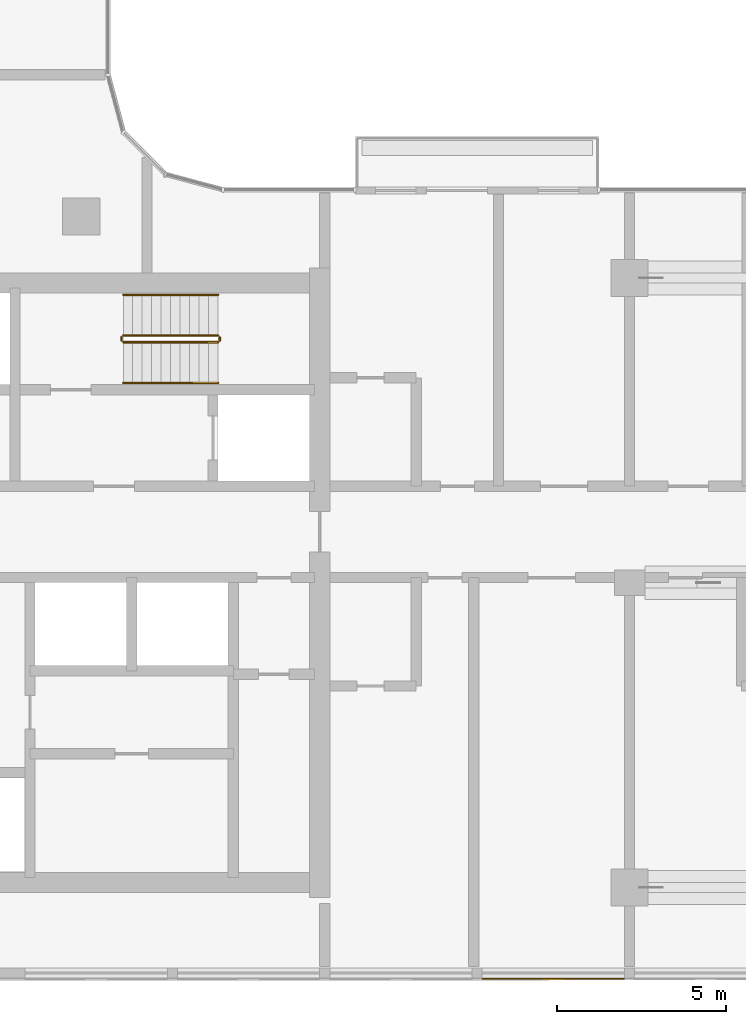
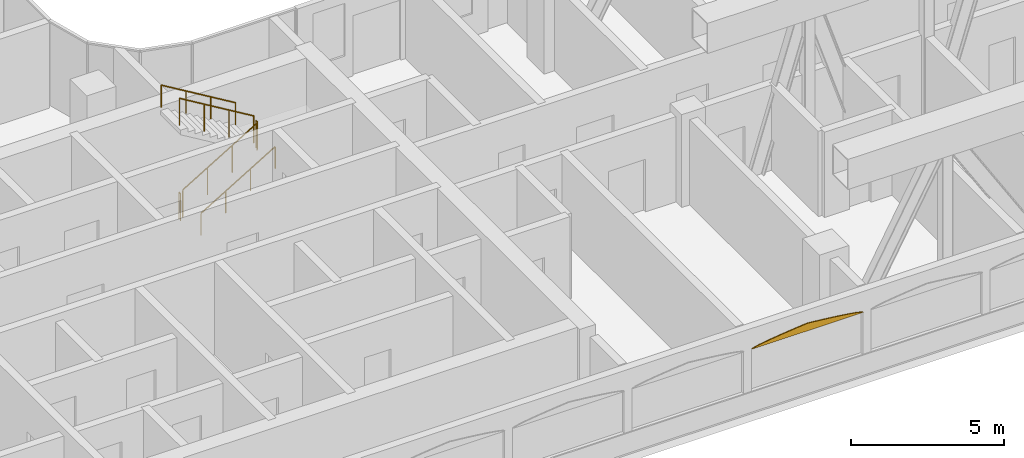
# One storey, part 21 of 25: 6 railings, 1 covering.
"""IFC4 building model written with IfcOpenShell, lengths in metres."""

from ifc_helpers import new_model, si_unit, direction, frame, origin, origin_2d, place, context, subcontext, project, spatial, polyline, circle, outline, extrude, material, layer, layer_set, type_object, element, save


model = new_model("IFC4")

# Units and contexts
model_context = context("Model", 3, precision=1e-05, world=origin(), true_north=direction((0.0, 1.0)))
body_context = subcontext(model_context, "Body", "Model", "MODEL_VIEW")
ifc_project = project(units=[si_unit("LENGTHUNIT", "METRE"), si_unit("AREAUNIT", "SQUARE_METRE"), si_unit("VOLUMEUNIT", "CUBIC_METRE"), si_unit("PLANEANGLEUNIT", "RADIAN"), si_unit("MASSUNIT", "GRAM", prefix="KILO")], contexts=[model_context])

# Site, building, storey
site_placement = place(None, origin())
site = spatial("IfcSite", under=ifc_project, at=site_placement, CompositionType="ELEMENT")
building_placement = place(site_placement, origin())
building = spatial("IfcBuilding", under=site, at=building_placement, Name="Ogive Portal Towers", CompositionType="ELEMENT")
storey_placement = place(building_placement, frame((0.0, 0.0, 182.89990234375)))
storey = spatial("IfcBuildingStorey", under=building, at=storey_placement, Name="L45", CompositionType="ELEMENT", Elevation=182.89990234375)

# Railings
ifc_material_1 = material(Name="Stainless steel balustrade", Category="steel")
railing_type_1 = type_object("IfcRailingType", Name="INT-GUARD", PredefinedType="GUARDRAIL", material=ifc_material_1)
railing_1_placement = place(storey_placement, frame((52.550048828125, 37.60009765625, 0.168212890625)))
element("IfcRailing", 1, at=railing_1_placement, inside=storey, type_object=railing_type_1, Name="L45 ST-A2 stair guard 1", PredefinedType="GUARDRAIL", context=body_context, shape_type="SweptSolid", body=[
    extrude(circle(Radius=0.02392578125, at=origin_2d()), frame((0.0, 0.0, 1.076171875), z_axis=(0.857242210791, 0.0, 0.514913383045), x_axis=(0.0, 1.0, 0.0)), (0.0, 0.0, 1.0), 3.266357421875),
    extrude(circle(Radius=0.02099609375, at=origin_2d()), origin(), (0.0, 0.0, 1.0), 1.052001953125),
    extrude(circle(Radius=0.02099609375, at=origin_2d()), frame((0.933349609375, 0.0, 0.560546875)), (0.0, 0.0, 1.0), 1.052001953125),
    extrude(circle(Radius=0.02099609375, at=origin_2d()), frame((1.86669921875, 0.0, 1.121337890625)), (0.0, 0.0, 1.0), 1.052001953125),
    extrude(circle(Radius=0.02099609375, at=origin_2d()), frame((2.800048828125, 0.0, 1.681884765625)), (0.0, 0.0, 1.0), 1.052001953125),
])
railing_2_placement = place(storey_placement, frame((55.39990234375, 37.64990234375, 1.85009765625)))
element("IfcRailing", 2, at=railing_2_placement, inside=storey, type_object=railing_type_1, Name="L45 ST-A2 stair guard 2", PredefinedType="GUARDRAIL", context=body_context, shape_type="SweptSolid", body=[
    extrude(circle(Radius=0.02392578125, at=origin_2d()), frame((0.0, 0.0, 1.076171875), z_axis=(0.0, 1.0, 0.0), x_axis=(-1.0, 0.0, 0.0)), (0.0, 0.0, 1.0), 0.10009765625),
    extrude(circle(Radius=0.02099609375, at=origin_2d()), origin(), (0.0, 0.0, 1.0), 1.052001953125),
    extrude(circle(Radius=0.02099609375, at=origin_2d()), frame((0.0, 0.10009765625, 0.0)), (0.0, 0.0, 1.0), 1.052001953125),
])
railing_3_placement = place(storey_placement, frame((55.35009765625, 37.800048828125, 2.018310546875)))
element("IfcRailing", 3, at=railing_3_placement, inside=storey, type_object=railing_type_1, Name="L45 ST-A2 stair guard 3", PredefinedType="GUARDRAIL", context=body_context, shape_type="SweptSolid", body=[
    extrude(circle(Radius=0.02392578125, at=origin_2d()), frame((0.0, 0.0, 1.076171875), z_axis=(-0.857242210791, 0.0, 0.514913383045), x_axis=(0.0, -1.0, 0.0)), (0.0, 0.0, 1.0), 3.266357421875),
    extrude(circle(Radius=0.02099609375, at=origin_2d()), origin(), (0.0, 0.0, 1.0), 1.052001953125),
    extrude(circle(Radius=0.02099609375, at=origin_2d()), frame((-0.933349609375, 0.0, 0.560546875)), (0.0, 0.0, 1.0), 1.052001953125),
    extrude(circle(Radius=0.02099609375, at=origin_2d()), frame((-1.86669921875, 0.0, 1.121337890625)), (0.0, 0.0, 1.0), 1.052001953125),
    extrude(circle(Radius=0.02099609375, at=origin_2d()), frame((-2.800048828125, 0.0, 1.681884765625)), (0.0, 0.0, 1.0), 1.052001953125),
])
railing_4_placement = place(storey_placement, frame((52.5, 37.64990234375, 0.0)))
element("IfcRailing", 4, at=railing_4_placement, inside=storey, type_object=railing_type_1, Name="L45 ST-A2 stair guard 4", PredefinedType="GUARDRAIL", context=body_context, shape_type="SweptSolid", body=[
    extrude(circle(Radius=0.02392578125, at=origin_2d()), frame((0.0, 0.0, 1.076171875), z_axis=(0.0, 1.0, 0.0), x_axis=(-1.0, 0.0, 0.0)), (0.0, 0.0, 1.0), 0.10009765625),
    extrude(circle(Radius=0.02099609375, at=origin_2d()), origin(), (0.0, 0.0, 1.0), 1.052001953125),
    extrude(circle(Radius=0.02099609375, at=origin_2d()), frame((0.0, 0.10009765625, 0.0)), (0.0, 0.0, 1.0), 1.052001953125),
])
ifc_material_2 = material(Name="Stainless steel handrail", Category="steel")
railing_type_2 = type_object("IfcRailingType", Name="INT-HANDRAIL", PredefinedType="HANDRAIL", material=ifc_material_2)
railing_5_placement = place(storey_placement, frame((52.550048828125, 36.39990234375, 0.168212890625)))
element("IfcRailing", 5, at=railing_5_placement, inside=storey, type_object=railing_type_2, Name="L45 ST-A2 stair handrail 1", PredefinedType="HANDRAIL", context=body_context, shape_type="SweptSolid", body=[
    extrude(circle(Radius=0.02392578125, at=origin_2d()), frame((0.0, 0.0, 0.8759765625), z_axis=(0.857242210791, 0.0, 0.514913383045), x_axis=(0.0, 1.0, 0.0)), (0.0, 0.0, 1.0), 3.266357421875),
    extrude(circle(Radius=0.02099609375, at=origin_2d()), origin(), (0.0, 0.0, 1.0), 0.851806640625),
    extrude(circle(Radius=0.02099609375, at=origin_2d()), frame((0.933349609375, 0.0, 0.560546875)), (0.0, 0.0, 1.0), 0.851806640625),
    extrude(circle(Radius=0.02099609375, at=origin_2d()), frame((1.86669921875, 0.0, 1.121337890625)), (0.0, 0.0, 1.0), 0.851806640625),
    extrude(circle(Radius=0.02099609375, at=origin_2d()), frame((2.800048828125, 0.0, 1.681884765625)), (0.0, 0.0, 1.0), 0.851806640625),
])
railing_6_placement = place(storey_placement, frame((55.35009765625, 39.0, 2.018310546875)))
element("IfcRailing", 6, at=railing_6_placement, inside=storey, type_object=railing_type_2, Name="L45 ST-A2 stair handrail 2", PredefinedType="HANDRAIL", context=body_context, shape_type="SweptSolid", body=[
    extrude(circle(Radius=0.02392578125, at=origin_2d()), frame((0.0, 0.0, 0.8759765625), z_axis=(-0.857242210791, 0.0, 0.514913383045), x_axis=(0.0, -1.0, 0.0)), (0.0, 0.0, 1.0), 3.266357421875),
    extrude(circle(Radius=0.02099609375, at=origin_2d()), origin(), (0.0, 0.0, 1.0), 0.851806640625),
    extrude(circle(Radius=0.02099609375, at=origin_2d()), frame((-0.933349609375, 0.0, 0.560546875)), (0.0, 0.0, 1.0), 0.851806640625),
    extrude(circle(Radius=0.02099609375, at=origin_2d()), frame((-1.86669921875, 0.0, 1.121337890625)), (0.0, 0.0, 1.0), 0.851806640625),
    extrude(circle(Radius=0.02099609375, at=origin_2d()), frame((-2.800048828125, 0.0, 1.681884765625)), (0.0, 0.0, 1.0), 0.851806640625),
])

# Covering
ifc_material_3 = material(Name="Limestone cladding on lightweight block wall", Category="masonry")
ifc_layer = layer(ifc_material_3, 0.0400390625)
ifc_layer_set = layer_set([ifc_layer], Name="LANCET HEAD STONE")
covering_type = type_object("IfcCoveringType", Name="LANCET HEAD STONE", PredefinedType="CLADDING", material=ifc_layer_set)
covering_placement = place(storey_placement, frame((63.14990234375, 18.820068359375, 2.60009765625), z_axis=(0.0, 0.999947689108, 0.01022834526), x_axis=(1.0, 0.0, 0.0)))
element("IfcCovering", 7, at=covering_placement, inside=storey, type_object=covering_type, Name="Lancet head", PredefinedType="CLADDING", context=body_context, shape_type="SweptSolid", body=[
    extrude(outline(polyline([(0.0, 0.0), (4.2001953125, 0.0), (4.107177734375, -0.03760068379228868), (3.9375, -0.07495474257618673), (3.7177734375, -0.11255542636847542), (3.45751953125, -0.14990948515237346), (3.162353515625, -0.18751016894466213), (2.836181640625, -0.2251083555823464), (2.481201171875, -0.2624649115208489), (2.10009765625, -0.30006559531313753), (1.718994140625, -0.2624649115208489), (1.364013671875, -0.2251083555823464), (1.037841796875, -0.18751016894466213), (0.74267578125, -0.14990948515237346), (0.482421875, -0.11255542636847542), (0.2626953125, -0.07495474257618673), (0.093017578125, -0.03760068379228868), (0.0, 0.0)])), origin(), (0.0, 0.0, -1.0), 0.0400390625),
])

save(model, "model.ifc")
